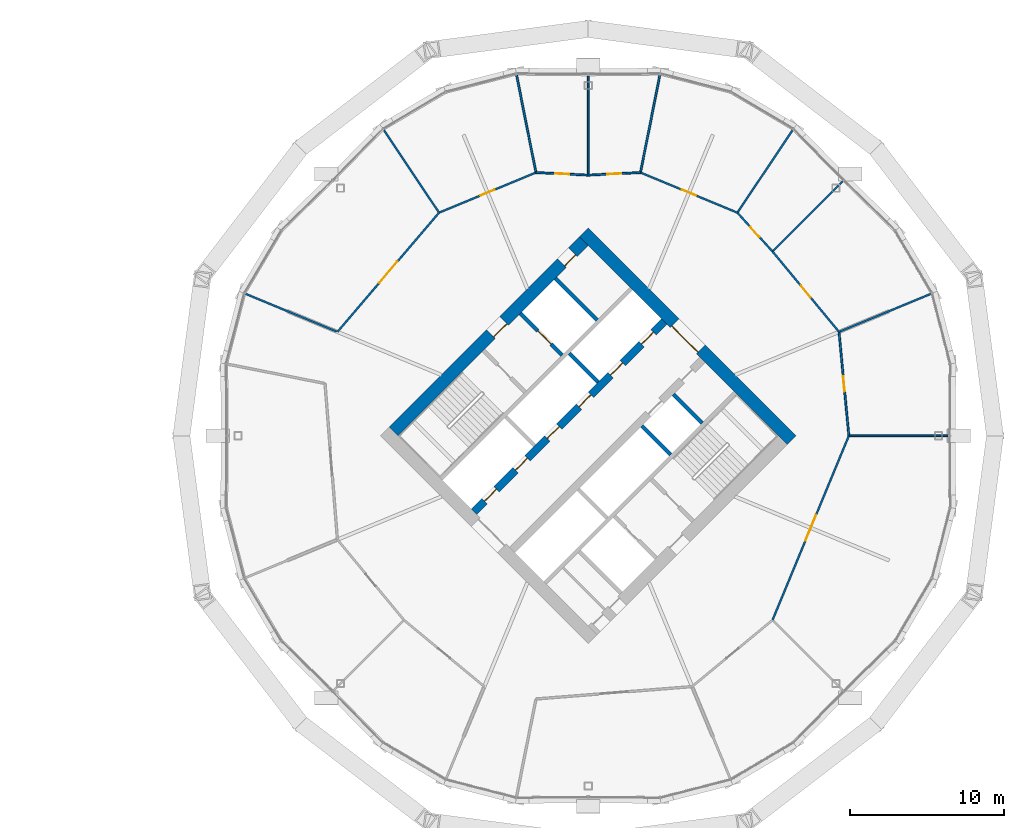
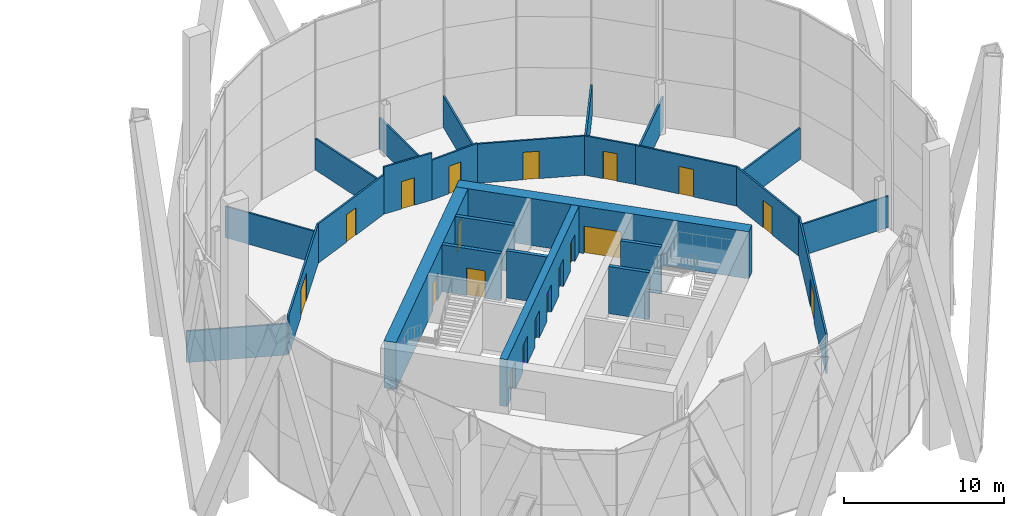
# One storey, part 22 of 26: 26 walls, 19 doors, 19 openings.
"""IFC4 building model written with IfcOpenShell, lengths in metres."""

from ifc_helpers import new_model, si_unit, direction, frame, frame_2d, origin, place, context, subcontext, project, spatial, rectangle, extrude, material, layer, layer_set, type_object, element, fill, save


model = new_model("IFC4")

# Units and contexts
model_context = context("Model", 3, precision=1e-05, world=origin(), true_north=direction((0.0, 1.0)))
body_context = subcontext(model_context, "Body", "Model", "MODEL_VIEW")
ifc_project = project(units=[si_unit("LENGTHUNIT", "METRE"), si_unit("AREAUNIT", "SQUARE_METRE"), si_unit("VOLUMEUNIT", "CUBIC_METRE"), si_unit("PLANEANGLEUNIT", "RADIAN"), si_unit("MASSUNIT", "GRAM", prefix="KILO")], contexts=[model_context])

# Site, building, storey
site_placement = place(None, origin())
site = spatial("IfcSite", under=ifc_project, at=site_placement, CompositionType="ELEMENT")
building_placement = place(site_placement, origin())
building = spatial("IfcBuilding", under=site, at=building_placement, Name="Ogive Gate Towers", CompositionType="ELEMENT")
storey_placement = place(building_placement, frame((0.0, 0.0, 76.199951171875)))
storey = spatial("IfcBuildingStorey", under=building, at=storey_placement, Name="L17", CompositionType="ELEMENT", Elevation=76.199951171875)

# Wall, openings, doors
ifc_material_1 = material(Name="Concrete C60/75", Category="concrete")
ifc_layer_1 = layer(ifc_material_1, 0.800048828125)
ifc_layer_set_1 = layer_set([ifc_layer_1], Name="Core wall 800 mm")
wall_type_1 = type_object("IfcWallType", Name="Core wall 800 mm", PredefinedType="SHEAR", material=ifc_layer_set_1)
wall_1_placement = place(storey_placement, frame((23.41357421875, 0.28271484375, 0.0), z_axis=(0.0, 0.0, 1.0), x_axis=(0.707106781187, 0.707106781187, 0.0)))
wall_1 = element("IfcWall", 1, at=wall_1_placement, inside=storey, type_object=wall_type_1, Name="T2 L17 Core wall 800 mm", PredefinedType="SHEAR", context=body_context, shape_type="SweptSolid", body=[
    extrude(rectangle(XDim=17.400146484375, YDim=0.800048828125, at=frame_2d((8.7001953125, 0.0))), origin(), (0.0, 0.0, 1.0), 3.60009765625),
])
opening_1_placement = place(wall_1_placement, frame((8.89990234375, 0.0, 0.0)))
opening_1 = element("IfcOpeningElement", 2, at=opening_1_placement, cuts=wall_1, Name="Opening KD-T2-L17-15", PredefinedType="OPENING", context=body_context, shape_type="SweptSolid", body=[
    extrude(rectangle(XDim=1.199951171875, YDim=2.10009765625, at=frame_2d((0.60009765625, 1.050048828125))), frame((0.0, 0.41015625, 0.0), z_axis=(0.0, -1.0, 0.0), x_axis=(1.0, 0.0, 0.0)), (0.0, 0.0, 1.0), 0.820068359375),
])
opening_2_placement = place(wall_1_placement, frame((15.39990234375, 0.0, 0.0)))
opening_2 = element("IfcOpeningElement", 3, at=opening_2_placement, cuts=wall_1, Name="Opening KD-T2-L17-17", PredefinedType="OPENING", context=body_context, shape_type="SweptSolid", body=[
    extrude(rectangle(XDim=1.0, YDim=2.10009765625, at=frame_2d((0.5, 1.050048828125))), frame((0.0, 0.41015625, 0.0), z_axis=(0.0, -1.0, 0.0), x_axis=(1.0, 0.0, 0.0)), (0.0, 0.0, 1.0), 0.820068359375),
])
ifc_material_2 = material(Name="Timber door", Category="wood")
door_type_1 = type_object("IfcDoorType", Name="Accessible WC door 1000 x 2100", OperationType="NOTDEFINED", PredefinedType="DOOR", material=ifc_material_2)
door_1_placement = place(opening_2_placement, origin())
door_1 = element("IfcDoor", 4, at=door_1_placement, inside=storey, type_object=door_type_1, Name="T2 L17 Core door", OperationType="SINGLE_SWING_RIGHT", OverallHeight=2.10009765625, OverallWidth=1.0, PredefinedType="DOOR", context=body_context, shape_type="SweptSolid", body=[
    extrude(rectangle(XDim=1.0, YDim=2.10009765625, at=frame_2d((0.5, 1.050048828125))), frame((0.0, -0.22509765625, 0.0), z_axis=(0.0, -1.0, 0.0), x_axis=(1.0, 0.0, 0.0)), (0.0, 0.0, 1.0), 0.050048828125),
])
fill(opening_2, door_1)
ifc_material_3 = material(Name="Steel fire door", Category="steel")
door_type_2 = type_object("IfcDoorType", Name="Core door FD60S 1200 x 2100", OperationType="NOTDEFINED", PredefinedType="DOOR", material=ifc_material_3)
door_2_placement = place(opening_1_placement, origin())
door_2 = element("IfcDoor", 5, at=door_2_placement, inside=storey, type_object=door_type_2, Name="T2 L17 Fire-fighting lobby door", OperationType="SINGLE_SWING_RIGHT", OverallHeight=2.10009765625, OverallWidth=1.199951171875, PredefinedType="DOOR", context=body_context, shape_type="SweptSolid", body=[
    extrude(rectangle(XDim=1.199951171875, YDim=2.10009765625, at=frame_2d((0.60009765625, 1.050048828125))), frame((0.0, -0.22509765625, 0.0), z_axis=(0.0, -1.0, 0.0), x_axis=(1.0, 0.0, 0.0)), (0.0, 0.0, 1.0), 0.050048828125),
])
fill(opening_1, door_2)

# Wall, opening, door
wall_2_placement = place(storey_placement, frame((49.152099609375, -0.28271484375, 0.0), z_axis=(0.0, 0.0, 1.0), x_axis=(-0.707106781187, 0.707106781187, 0.0)))
wall_2 = element("IfcWall", 6, at=wall_2_placement, inside=storey, type_object=wall_type_1, Name="T2 L17 Core wall 800 mm", PredefinedType="SHEAR", context=body_context, shape_type="SweptSolid", body=[
    extrude(rectangle(XDim=18.999755859375, YDim=0.800048828125, at=frame_2d((9.5, 0.0))), origin(), (0.0, 0.0, 1.0), 3.60009765625),
])
opening_3_placement = place(wall_2_placement, frame((8.300048828125, 0.0, 0.0)))
opening_3 = element("IfcOpeningElement", 7, at=opening_3_placement, cuts=wall_2, Name="Opening KD-T2-L17-02", PredefinedType="OPENING", context=body_context, shape_type="SweptSolid", body=[
    extrude(rectangle(XDim=2.39990234375, YDim=2.10009765625, at=frame_2d((1.199951171875, 1.050048828125))), frame((0.0, 0.41015625, 0.0), z_axis=(0.0, -1.0, 0.0), x_axis=(1.0, 0.0, 0.0)), (0.0, 0.0, 1.0), 0.820068359375),
])
door_type_3 = type_object("IfcDoorType", Name="Core double door FD60S 2400 x 2100", OperationType="DOUBLE_DOOR_SINGLE_SWING", PredefinedType="DOOR", material=ifc_material_3)
door_3_placement = place(opening_3_placement, origin())
door_3 = element("IfcDoor", 8, at=door_3_placement, inside=storey, type_object=door_type_3, Name="T2 L17 Core door double", OperationType="DOUBLE_DOOR_SINGLE_SWING", OverallHeight=2.10009765625, OverallWidth=2.39990234375, PredefinedType="DOOR", context=body_context, shape_type="SweptSolid", body=[
    extrude(rectangle(XDim=2.39990234375, YDim=2.10009765625, at=frame_2d((1.199951171875, 1.050048828125))), frame((0.0, 0.27490234375, 0.0), z_axis=(0.0, -1.0, 0.0), x_axis=(1.0, 0.0, 0.0)), (0.0, 0.0, 1.0), 0.050048828125),
])
fill(opening_3, door_3)

# Walls
ifc_material_4 = material(Name="Gypsum board partition")
ifc_layer_2 = layer(ifc_material_4, 0.125)
ifc_layer_set_2 = layer_set([ifc_layer_2], Name="Partition 125")
wall_type_2 = type_object("IfcWallType", Name="Partition 125", PredefinedType="PARTITIONING", material=ifc_layer_set_2)
for number, where, z_axis, x_axis, name in (
    (9, (59.299072265625, 0.0, 0.0), (0.0, 0.0, 1.0), (-1.0, 0.0, 0.0), "Partition T2-L17-001"),
    (10, (58.173095703125, 9.184326171875, 0.0), (0.0, 0.0, 1.0), (-0.923885020089, -0.382670183912, 0.0), "Partition T2-L17-002"),
    (11, (52.474853515625, 16.474853515625, 0.0), (0.0, 0.0, 1.0), (-0.707106781187, -0.707106781187, 0.0), "Partition T2-L17-003"),
    (12, (49.228515625, 19.784423828125, 0.0), (0.0, 0.0, 1.0), (-0.555823674739, -0.831300212077, 0.0), "Partition T2-L17-004"),
):
    element("IfcWall", number, at=place(storey_placement, frame(where, z_axis=z_axis, x_axis=x_axis)), inside=storey, type_object=wall_type_2, Name=name, PredefinedType="PARTITIONING", context=body_context, shape_type="SweptSolid", body=[
        extrude(rectangle(XDim=6.365966796875, YDim=0.125, at=frame_2d((3.18310546875, 0.0))), origin(), (0.0, 0.0, 1.0), 2.400146484375),
    ])
wall_3_placement = place(storey_placement, frame((40.6357421875, 23.34375, 0.0), z_axis=(0.0, 0.0, 1.0), x_axis=(-0.1947883958, -0.980845288953, 0.0)))
element("IfcWall", 13, at=wall_3_placement, inside=storey, type_object=wall_type_2, Name="Partition T2-L17-005", PredefinedType="PARTITIONING", context=body_context, shape_type="SweptSolid", body=[
    extrude(rectangle(XDim=6.36572265625, YDim=0.125, at=frame_2d((3.182861328125, 0.0))), origin(), (0.0, 0.0, 1.0), 2.400146484375),
])
wall_4_placement = place(storey_placement, frame((36.0, 23.299072265625, 0.0), z_axis=(0.0, 0.0, 1.0), x_axis=(0.0, -1.0, 0.0)))
element("IfcWall", 14, at=wall_4_placement, inside=storey, type_object=wall_type_2, Name="Partition T2-L17-006", PredefinedType="PARTITIONING", context=body_context, shape_type="SweptSolid", body=[
    extrude(rectangle(XDim=6.365966796875, YDim=0.125, at=frame_2d((3.18310546875, 0.0))), origin(), (0.0, 0.0, 1.0), 2.400146484375),
])
wall_5_placement = place(storey_placement, frame((31.3642578125, 23.34375, 0.0), z_axis=(0.0, 0.0, 1.0), x_axis=(0.1947883958, -0.980845288953, 0.0)))
element("IfcWall", 15, at=wall_5_placement, inside=storey, type_object=wall_type_2, Name="Partition T2-L17-007", PredefinedType="PARTITIONING", context=body_context, shape_type="SweptSolid", body=[
    extrude(rectangle(XDim=6.36572265625, YDim=0.125, at=frame_2d((3.182861328125, 0.0))), origin(), (0.0, 0.0, 1.0), 2.400146484375),
])
for number, where, z_axis, x_axis, name in (
    (16, (22.771484375, 19.784423828125, 0.0), (0.0, 0.0, 1.0), (0.555823674739, -0.831300212077, 0.0), "Partition T2-L17-008"),
    (17, (13.826904296875, 9.184326171875, 0.0), (0.0, 0.0, 1.0), (0.923885020089, -0.382670183912, 0.0), "Partition T2-L17-009"),
):
    element("IfcWall", number, at=place(storey_placement, frame(where, z_axis=z_axis, x_axis=x_axis)), inside=storey, type_object=wall_type_2, Name=name, PredefinedType="PARTITIONING", context=body_context, shape_type="SweptSolid", body=[
        extrude(rectangle(XDim=6.365966796875, YDim=0.125, at=frame_2d((3.18310546875, 0.0))), origin(), (0.0, 0.0, 1.0), 2.400146484375),
    ])

# Wall, opening, door
wall_6_placement = place(storey_placement, frame((47.92919921875, -11.92919921875, 0.0), z_axis=(0.0, 0.0, 1.0), x_axis=(0.382694679749, 0.923874873612, 0.0)))
wall_6 = element("IfcWall", 18, at=wall_6_placement, inside=storey, type_object=wall_type_2, Name="Partition T2-L17-022", PredefinedType="PARTITIONING", context=body_context, shape_type="SweptSolid", body=[
    extrude(rectangle(XDim=12.912109375, YDim=0.125, at=frame_2d((6.4560546875, 0.0))), origin(), (0.0, 0.0, 1.0), 3.0),
])
opening_4_placement = place(wall_6_placement, frame((5.555908203125, 0.0, 0.0)))
opening_4 = element("IfcOpeningElement", 19, at=opening_4_placement, cuts=wall_6, Name="Opening T2-L17-D06", PredefinedType="OPENING", context=body_context, shape_type="SweptSolid", body=[
    extrude(rectangle(XDim=1.800048828125, YDim=2.10009765625, at=frame_2d((0.89990234375, 1.050048828125))), frame((0.0, 0.072509765625, 0.0), z_axis=(0.0, -1.0, 0.0), x_axis=(1.0, 0.0, 0.0)), (0.0, 0.0, 1.0), 0.14501953125),
])
door_type_4 = type_object("IfcDoorType", Name="Door pair 1800", OperationType="NOTDEFINED", PredefinedType="DOOR", material=ifc_material_2)
door_4_placement = place(opening_4_placement, origin())
door_4 = element("IfcDoor", 20, at=door_4_placement, inside=storey, type_object=door_type_4, Name="Door T2-L17-D06", OperationType="DOUBLE_DOOR_DOUBLE_SWING", OverallHeight=2.10009765625, OverallWidth=1.800048828125, PredefinedType="DOOR", context=body_context, shape_type="SweptSolid", body=[
    extrude(rectangle(XDim=1.800048828125, YDim=2.10009765625, at=frame_2d((0.89990234375, 1.050048828125))), frame((0.0, 0.02490234375, 0.0), z_axis=(0.0, -1.0, 0.0), x_axis=(1.0, 0.0, 0.0)), (0.0, 0.0, 1.0), 0.050048828125),
])
fill(opening_4, door_4)

wall_7_placement = place(storey_placement, frame((52.87060546875, 0.0, 0.0), z_axis=(0.0, 0.0, 1.0), x_axis=(-0.09426665702, 0.995546984011, 0.0)))
wall_7 = element("IfcWall", 21, at=wall_7_placement, inside=storey, type_object=wall_type_2, Name="Partition T2-L17-023", PredefinedType="PARTITIONING", context=body_context, shape_type="SweptSolid", body=[
    extrude(rectangle(XDim=6.75439453125, YDim=0.125, at=frame_2d((3.377197265625, 0.0))), origin(), (0.0, 0.0, 1.0), 3.0),
])
opening_5_placement = place(wall_7_placement, frame((2.876953125, 0.0, 0.0)))
opening_5 = element("IfcOpeningElement", 22, at=opening_5_placement, cuts=wall_7, Name="Opening T2-L17-D07", PredefinedType="OPENING", context=body_context, shape_type="SweptSolid", body=[
    extrude(rectangle(XDim=1.0, YDim=2.10009765625, at=frame_2d((0.5, 1.050048828125))), frame((0.0, 0.072509765625, 0.0), z_axis=(0.0, -1.0, 0.0), x_axis=(1.0, 0.0, 0.0)), (0.0, 0.0, 1.0), 0.14501953125),
])
door_type_5 = type_object("IfcDoorType", Name="Door 1000", OperationType="NOTDEFINED", PredefinedType="DOOR", material=ifc_material_2)
door_5_placement = place(opening_5_placement, origin())
door_5 = element("IfcDoor", 23, at=door_5_placement, inside=storey, type_object=door_type_5, Name="Door T2-L17-D07", OperationType="SINGLE_SWING_LEFT", OverallHeight=2.10009765625, OverallWidth=1.0, PredefinedType="DOOR", context=body_context, shape_type="SweptSolid", body=[
    extrude(rectangle(XDim=1.0, YDim=2.10009765625, at=frame_2d((0.5, 1.050048828125))), frame((0.0, 0.02490234375, 0.0), z_axis=(0.0, -1.0, 0.0), x_axis=(1.0, 0.0, 0.0)), (0.0, 0.0, 1.0), 0.050048828125),
])
fill(opening_5, door_5)

wall_8_placement = place(storey_placement, frame((52.23388671875, 6.724365234375, 0.0), z_axis=(0.0, 0.0, 1.0), x_axis=(-0.63732504297, 0.77059508797, 0.0)))
wall_8 = element("IfcWall", 24, at=wall_8_placement, inside=storey, type_object=wall_type_2, Name="Partition T2-L17-024", PredefinedType="PARTITIONING", context=body_context, shape_type="SweptSolid", body=[
    extrude(rectangle(XDim=6.75439453125, YDim=0.125, at=frame_2d((3.377197265625, 0.0))), origin(), (0.0, 0.0, 1.0), 3.0),
])
opening_6_placement = place(wall_8_placement, frame((2.876953125, 0.0, 0.0)))
opening_6 = element("IfcOpeningElement", 25, at=opening_6_placement, cuts=wall_8, Name="Opening T2-L17-D08", PredefinedType="OPENING", context=body_context, shape_type="SweptSolid", body=[
    extrude(rectangle(XDim=1.0, YDim=2.10009765625, at=frame_2d((0.5, 1.050048828125))), frame((0.0, 0.072509765625, 0.0), z_axis=(0.0, -1.0, 0.0), x_axis=(1.0, 0.0, 0.0)), (0.0, 0.0, 1.0), 0.14501953125),
])
door_6_placement = place(opening_6_placement, origin())
door_6 = element("IfcDoor", 26, at=door_6_placement, inside=storey, type_object=door_type_5, Name="Door T2-L17-D08", OperationType="SINGLE_SWING_RIGHT", OverallHeight=2.10009765625, OverallWidth=1.0, PredefinedType="DOOR", context=body_context, shape_type="SweptSolid", body=[
    extrude(rectangle(XDim=1.0, YDim=2.10009765625, at=frame_2d((0.5, 1.050048828125))), frame((0.0, 0.02490234375, 0.0), z_axis=(0.0, -1.0, 0.0), x_axis=(1.0, 0.0, 0.0)), (0.0, 0.0, 1.0), 0.050048828125),
])
fill(opening_6, door_6)

wall_9_placement = place(storey_placement, frame((47.92919921875, 11.92919921875, 0.0), z_axis=(0.0, 0.0, 1.0), x_axis=(-0.671139730798, 0.741330871976, 0.0)))
wall_9 = element("IfcWall", 27, at=wall_9_placement, inside=storey, type_object=wall_type_2, Name="Partition T2-L17-025", PredefinedType="PARTITIONING", context=body_context, shape_type="SweptSolid", body=[
    extrude(rectangle(XDim=3.3876953125, YDim=0.125, at=frame_2d((1.69384765625, 0.0))), origin(), (0.0, 0.0, 1.0), 3.010009765625),
])
opening_7_placement = place(wall_9_placement, frame((1.243896484375, 0.0, 0.0)))
opening_7 = element("IfcOpeningElement", 28, at=opening_7_placement, cuts=wall_9, Name="Opening T2-L17-D09", PredefinedType="OPENING", context=body_context, shape_type="SweptSolid", body=[
    extrude(rectangle(XDim=0.89990234375, YDim=2.10009765625, at=frame_2d((0.449951171875, 1.050048828125))), frame((0.0, 0.072509765625, 0.0), z_axis=(0.0, -1.0, 0.0), x_axis=(1.0, 0.0, 0.0)), (0.0, 0.0, 1.0), 0.14501953125),
])
door_type_6 = type_object("IfcDoorType", Name="Door 900", OperationType="NOTDEFINED", PredefinedType="DOOR", material=ifc_material_2)
door_7_placement = place(opening_7_placement, origin())
door_7 = element("IfcDoor", 29, at=door_7_placement, inside=storey, type_object=door_type_6, Name="Door T2-L17-D09", OperationType="SINGLE_SWING_LEFT", OverallHeight=2.10009765625, OverallWidth=0.89990234375, PredefinedType="DOOR", context=body_context, shape_type="SweptSolid", body=[
    extrude(rectangle(XDim=0.89990234375, YDim=2.10009765625, at=frame_2d((0.449951171875, 1.050048828125))), frame((0.0, 0.02490234375, 0.0), z_axis=(0.0, -1.0, 0.0), x_axis=(1.0, 0.0, 0.0)), (0.0, 0.0, 1.0), 0.050048828125),
])
fill(opening_7, door_7)

wall_10_placement = place(storey_placement, frame((45.655517578125, 14.440673828125, 0.0), z_axis=(0.0, 0.0, 1.0), x_axis=(-0.923881394158, 0.382678937923, 0.0)))
wall_10 = element("IfcWall", 30, at=wall_10_placement, inside=storey, type_object=wall_type_2, Name="Partition T2-L17-026", PredefinedType="PARTITIONING", context=body_context, shape_type="SweptSolid", body=[
    extrude(rectangle(XDim=6.788818359375, YDim=0.125, at=frame_2d((3.39453125, 0.0))), origin(), (0.0, 0.0, 1.0), 3.0),
])
opening_8_placement = place(wall_10_placement, frame((2.89404296875, 0.0, 0.0)))
opening_8 = element("IfcOpeningElement", 31, at=opening_8_placement, cuts=wall_10, Name="Opening T2-L17-D10", PredefinedType="OPENING", context=body_context, shape_type="SweptSolid", body=[
    extrude(rectangle(XDim=1.0, YDim=2.10009765625, at=frame_2d((0.5, 1.050048828125))), frame((0.0, 0.072509765625, 0.0), z_axis=(0.0, -1.0, 0.0), x_axis=(1.0, 0.0, 0.0)), (0.0, 0.0, 1.0), 0.14501953125),
])
door_8_placement = place(opening_8_placement, origin())
door_8 = element("IfcDoor", 32, at=door_8_placement, inside=storey, type_object=door_type_5, Name="Door T2-L17-D10", OperationType="SINGLE_SWING_RIGHT", OverallHeight=2.10009765625, OverallWidth=1.0, PredefinedType="DOOR", context=body_context, shape_type="SweptSolid", body=[
    extrude(rectangle(XDim=1.0, YDim=2.10009765625, at=frame_2d((0.5, 1.050048828125))), frame((0.0, 0.02490234375, 0.0), z_axis=(0.0, -1.0, 0.0), x_axis=(1.0, 0.0, 0.0)), (0.0, 0.0, 1.0), 0.050048828125),
])
fill(opening_8, door_8)

wall_11_placement = place(storey_placement, frame((39.383544921875, 17.03857421875, 0.0), z_axis=(0.0, 0.0, 1.0), x_axis=(-0.998770067475, -0.04958177404, 0.0)))
wall_11 = element("IfcWall", 33, at=wall_11_placement, inside=storey, type_object=wall_type_2, Name="Partition T2-L17-027", PredefinedType="PARTITIONING", context=body_context, shape_type="SweptSolid", body=[
    extrude(rectangle(XDim=3.3876953125, YDim=0.125, at=frame_2d((1.69384765625, 0.0))), origin(), (0.0, 0.0, 1.0), 3.050048828125),
])
opening_9_placement = place(wall_11_placement, frame((1.243896484375, 0.0, 0.0)))
opening_9 = element("IfcOpeningElement", 34, at=opening_9_placement, cuts=wall_11, Name="Opening T2-L17-D11", PredefinedType="OPENING", context=body_context, shape_type="SweptSolid", body=[
    extrude(rectangle(XDim=0.89990234375, YDim=2.10009765625, at=frame_2d((0.449951171875, 1.050048828125))), frame((0.0, 0.072509765625, 0.0), z_axis=(0.0, -1.0, 0.0), x_axis=(1.0, 0.0, 0.0)), (0.0, 0.0, 1.0), 0.14501953125),
])
door_9_placement = place(opening_9_placement, origin())
door_9 = element("IfcDoor", 35, at=door_9_placement, inside=storey, type_object=door_type_6, Name="Door T2-L17-D11", OperationType="SINGLE_SWING_LEFT", OverallHeight=2.10009765625, OverallWidth=0.89990234375, PredefinedType="DOOR", context=body_context, shape_type="SweptSolid", body=[
    extrude(rectangle(XDim=0.89990234375, YDim=2.10009765625, at=frame_2d((0.449951171875, 1.050048828125))), frame((0.0, 0.02490234375, 0.0), z_axis=(0.0, -1.0, 0.0), x_axis=(1.0, 0.0, 0.0)), (0.0, 0.0, 1.0), 0.050048828125),
])
fill(opening_9, door_9)

wall_12_placement = place(storey_placement, frame((36.0, 16.87060546875, 0.0), z_axis=(0.0, 0.0, 1.0), x_axis=(-0.998770067475, 0.04958177404, 0.0)))
wall_12 = element("IfcWall", 36, at=wall_12_placement, inside=storey, type_object=wall_type_2, Name="Partition T2-L17-028", PredefinedType="PARTITIONING", context=body_context, shape_type="SweptSolid", body=[
    extrude(rectangle(XDim=3.3876953125, YDim=0.125, at=frame_2d((1.69384765625, 0.0))), origin(), (0.0, 0.0, 1.0), 3.60009765625),
])
opening_10_placement = place(wall_12_placement, frame((1.243896484375, 0.0, 0.0)))
opening_10 = element("IfcOpeningElement", 37, at=opening_10_placement, cuts=wall_12, Name="Opening T2-L17-D12", PredefinedType="OPENING", context=body_context, shape_type="SweptSolid", body=[
    extrude(rectangle(XDim=0.89990234375, YDim=2.10009765625, at=frame_2d((0.449951171875, 1.050048828125))), frame((0.0, 0.072509765625, 0.0), z_axis=(0.0, -1.0, 0.0), x_axis=(1.0, 0.0, 0.0)), (0.0, 0.0, 1.0), 0.14501953125),
])
door_10_placement = place(opening_10_placement, origin())
door_10 = element("IfcDoor", 38, at=door_10_placement, inside=storey, type_object=door_type_6, Name="Door T2-L17-D12", OperationType="SINGLE_SWING_LEFT", OverallHeight=2.10009765625, OverallWidth=0.89990234375, PredefinedType="DOOR", context=body_context, shape_type="SweptSolid", body=[
    extrude(rectangle(XDim=0.89990234375, YDim=2.10009765625, at=frame_2d((0.449951171875, 1.050048828125))), frame((0.0, 0.02490234375, 0.0), z_axis=(0.0, -1.0, 0.0), x_axis=(1.0, 0.0, 0.0)), (0.0, 0.0, 1.0), 0.050048828125),
])
fill(opening_10, door_10)

wall_13_placement = place(storey_placement, frame((32.616455078125, 17.03857421875, 0.0), z_axis=(0.0, 0.0, 1.0), x_axis=(-0.923881394158, -0.382678937923, 0.0)))
wall_13 = element("IfcWall", 39, at=wall_13_placement, inside=storey, type_object=wall_type_2, Name="Partition T2-L17-029", PredefinedType="PARTITIONING", context=body_context, shape_type="SweptSolid", body=[
    extrude(rectangle(XDim=6.788818359375, YDim=0.125, at=frame_2d((3.39453125, 0.0))), origin(), (0.0, 0.0, 1.0), 3.0),
])
opening_11_placement = place(wall_13_placement, frame((2.89404296875, 0.0, 0.0)))
opening_11 = element("IfcOpeningElement", 40, at=opening_11_placement, cuts=wall_13, Name="Opening T2-L17-D13", PredefinedType="OPENING", context=body_context, shape_type="SweptSolid", body=[
    extrude(rectangle(XDim=1.0, YDim=2.10009765625, at=frame_2d((0.5, 1.050048828125))), frame((0.0, 0.072509765625, 0.0), z_axis=(0.0, -1.0, 0.0), x_axis=(1.0, 0.0, 0.0)), (0.0, 0.0, 1.0), 0.14501953125),
])
door_11_placement = place(opening_11_placement, origin())
door_11 = element("IfcDoor", 41, at=door_11_placement, inside=storey, type_object=door_type_5, Name="Door T2-L17-D13", OperationType="SINGLE_SWING_LEFT", OverallHeight=2.10009765625, OverallWidth=1.0, PredefinedType="DOOR", context=body_context, shape_type="SweptSolid", body=[
    extrude(rectangle(XDim=1.0, YDim=2.10009765625, at=frame_2d((0.5, 1.050048828125))), frame((0.0, 0.02490234375, 0.0), z_axis=(0.0, -1.0, 0.0), x_axis=(1.0, 0.0, 0.0)), (0.0, 0.0, 1.0), 0.050048828125),
])
fill(opening_11, door_11)

wall_14_placement = place(storey_placement, frame((26.344482421875, 14.440673828125, 0.0), z_axis=(0.0, 0.0, 1.0), x_axis=(-0.648764578555, -0.760989173124, 0.0)))
wall_14 = element("IfcWall", 42, at=wall_14_placement, inside=storey, type_object=wall_type_2, Name="Partition T2-L17-030", PredefinedType="PARTITIONING", context=body_context, shape_type="SweptSolid", body=[
    extrude(rectangle(XDim=10.139892578125, YDim=0.125, at=frame_2d((5.06982421875, 0.0))), origin(), (0.0, 0.0, 1.0), 3.0),
])
opening_12_placement = place(wall_14_placement, frame((4.169921875, 0.0, 0.0)))
opening_12 = element("IfcOpeningElement", 43, at=opening_12_placement, cuts=wall_14, Name="Opening T2-L17-D14", PredefinedType="OPENING", context=body_context, shape_type="SweptSolid", body=[
    extrude(rectangle(XDim=1.800048828125, YDim=2.10009765625, at=frame_2d((0.89990234375, 1.050048828125))), frame((0.0, 0.072509765625, 0.0), z_axis=(0.0, -1.0, 0.0), x_axis=(1.0, 0.0, 0.0)), (0.0, 0.0, 1.0), 0.14501953125),
])
door_12_placement = place(opening_12_placement, origin())
door_12 = element("IfcDoor", 44, at=door_12_placement, inside=storey, type_object=door_type_4, Name="Door T2-L17-D14", OperationType="DOUBLE_DOOR_DOUBLE_SWING", OverallHeight=2.10009765625, OverallWidth=1.800048828125, PredefinedType="DOOR", context=body_context, shape_type="SweptSolid", body=[
    extrude(rectangle(XDim=1.800048828125, YDim=2.10009765625, at=frame_2d((0.89990234375, 1.050048828125))), frame((0.0, 0.02490234375, 0.0), z_axis=(0.0, -1.0, 0.0), x_axis=(1.0, 0.0, 0.0)), (0.0, 0.0, 1.0), 0.050048828125),
])
fill(opening_12, door_12)

ifc_layer_3 = layer(ifc_material_1, 0.25)
ifc_layer_set_3 = layer_set([ifc_layer_3], Name="Shaft wall 250 mm")
wall_type_3 = type_object("IfcWallType", Name="Shaft wall 250 mm", PredefinedType="SHEAR", material=ifc_layer_set_3)
wall_15_placement = place(storey_placement, frame((34.320556640625, 5.21484375, 0.0), z_axis=(0.0, 0.0, 1.0), x_axis=(-0.707074866995, 0.707138693938, 0.0)))
wall_15 = element("IfcWall", 45, at=wall_15_placement, inside=storey, type_object=wall_type_3, Name="T2 L17 Shaft wall 250 mm", PredefinedType="SHEAR", context=body_context, shape_type="SweptSolid", body=[
    extrude(rectangle(XDim=3.824951171875, YDim=0.25, at=frame_2d((1.91259765625, 0.0))), origin(), (0.0, 0.0, 1.0), 3.60009765625),
])
opening_13_placement = place(wall_15_placement, frame((1.02490234375, 0.0, 0.0)))
opening_13 = element("IfcOpeningElement", 46, at=opening_13_placement, cuts=wall_15, Name="Opening LD-T2-L17-10", PredefinedType="OPENING", context=body_context, shape_type="SweptSolid", body=[
    extrude(rectangle(XDim=1.199951171875, YDim=2.10009765625, at=frame_2d((0.60009765625, 1.050048828125))), frame((0.0, 0.135009765625, 0.0), z_axis=(0.0, -1.0, 0.0), x_axis=(1.0, 0.0, 0.0)), (0.0, 0.0, 1.0), 0.27001953125),
])
ifc_material_5 = material(Name="Stainless steel landing door", Category="steel")
door_type_7 = type_object("IfcDoorType", Name="Landing door 1200 x 2100", OperationType="SLIDING_TO_LEFT", PredefinedType="DOOR", material=ifc_material_5)
door_13_placement = place(opening_13_placement, origin())
door_13 = element("IfcDoor", 47, at=door_13_placement, inside=storey, type_object=door_type_7, Name="T2 L17 Lift landing door FF1", OperationType="SLIDING_TO_LEFT", OverallHeight=2.10009765625, OverallWidth=1.199951171875, PredefinedType="DOOR", context=body_context, shape_type="SweptSolid", body=[
    extrude(rectangle(XDim=1.199951171875, YDim=2.10009765625, at=frame_2d((0.60009765625, 1.050048828125))), frame((0.0, 0.02490234375, 0.0), z_axis=(0.0, -1.0, 0.0), x_axis=(1.0, 0.0, 0.0)), (0.0, 0.0, 1.0), 0.050048828125),
])
fill(opening_13, door_13)

# Walls
for number, where, z_axis, x_axis, name in (
    (48, (41.321044921875, -1.2197265625, 0.0), (0.0, 0.0, 1.0), (-0.707106781187, 0.707106781187, 0.0), "T2 L17 Shaft wall 250 mm"),
    (49, (36.636474609375, 3.46484375, 0.0), (0.0, 0.0, 1.0), (-0.707106781187, 0.707106781187, 0.0), "T2 L17 Shaft wall 250 mm"),
):
    element("IfcWall", number, at=place(storey_placement, frame(where, z_axis=z_axis, x_axis=x_axis)), inside=storey, type_object=wall_type_3, Name=name, PredefinedType="SHEAR", context=body_context, shape_type="SweptSolid", body=[
        extrude(rectangle(XDim=2.625, YDim=0.25, at=frame_2d((1.3125, 0.0))), origin(), (0.0, 0.0, 1.0), 3.60009765625),
    ])
wall_16_placement = place(storey_placement, frame((36.58349609375, 7.477783203125, 0.0), z_axis=(0.0, 0.0, 1.0), x_axis=(-0.707138693938, 0.707074866995, 0.0)))
element("IfcWall", 50, at=wall_16_placement, inside=storey, type_object=wall_type_3, Name="T2 L17 Shaft wall 250 mm", PredefinedType="SHEAR", context=body_context, shape_type="SweptSolid", body=[
    extrude(rectangle(XDim=3.824951171875, YDim=0.25, at=frame_2d((1.91259765625, 0.0))), origin(), (0.0, 0.0, 1.0), 3.60009765625),
])
wall_17_placement = place(storey_placement, frame((43.37158203125, 0.830810546875, 0.0), z_axis=(0.0, 0.0, 1.0), x_axis=(-0.707106781187, 0.707106781187, 0.0)))
element("IfcWall", 51, at=wall_17_placement, inside=storey, type_object=wall_type_3, Name="T2 L17 Shaft wall 250 mm", PredefinedType="SHEAR", context=body_context, shape_type="SweptSolid", body=[
    extrude(rectangle(XDim=2.625, YDim=0.25, at=frame_2d((1.3125, 0.0))), origin(), (0.0, 0.0, 1.0), 3.60009765625),
])

# Wall, openings, doors
ifc_layer_4 = layer(ifc_material_1, 0.5)
ifc_layer_set_4 = layer_set([ifc_layer_4], Name="Spine wall 500 mm")
wall_type_4 = type_object("IfcWallType", Name="Spine wall 500 mm", PredefinedType="SHEAR", material=ifc_layer_set_4)
wall_18_placement = place(storey_placement, frame((28.610595703125, -4.914306640625, 0.0), z_axis=(0.0, 0.0, 1.0), x_axis=(0.707106781187, 0.707106781187, 0.0)))
wall_18 = element("IfcWall", 52, at=wall_18_placement, inside=storey, type_object=wall_type_4, Name="T2 L17 Spine wall 500 mm", PredefinedType="SHEAR", context=body_context, shape_type="SweptSolid", body=[
    extrude(rectangle(XDim=17.400146484375, YDim=0.5, at=frame_2d((8.7001953125, 0.0))), origin(), (0.0, 0.0, 1.0), 3.60009765625),
])
opening_14_placement = place(wall_18_placement, frame((0.96240234375, 0.0, 0.0)))
opening_14 = element("IfcOpeningElement", 53, at=opening_14_placement, cuts=wall_18, Name="Opening LD-T2-L17-03", PredefinedType="OPENING", context=body_context, shape_type="SweptSolid", body=[
    extrude(rectangle(XDim=1.10009765625, YDim=2.10009765625, at=frame_2d((0.550048828125, 1.050048828125))), frame((0.0, 0.260009765625, 0.0), z_axis=(0.0, -1.0, 0.0), x_axis=(1.0, 0.0, 0.0)), (0.0, 0.0, 1.0), 0.52001953125),
])
opening_15_placement = place(wall_18_placement, frame((3.800048828125, 0.0, 0.0)))
opening_15 = element("IfcOpeningElement", 54, at=opening_15_placement, cuts=wall_18, Name="Opening LD-T2-L17-04", PredefinedType="OPENING", context=body_context, shape_type="SweptSolid", body=[
    extrude(rectangle(XDim=1.10009765625, YDim=2.10009765625, at=frame_2d((0.550048828125, 1.050048828125))), frame((0.0, 0.260009765625, 0.0), z_axis=(0.0, -1.0, 0.0), x_axis=(1.0, 0.0, 0.0)), (0.0, 0.0, 1.0), 0.52001953125),
])
opening_16_placement = place(wall_18_placement, frame((6.699951171875, 0.0, 0.0)))
opening_16 = element("IfcOpeningElement", 55, at=opening_16_placement, cuts=wall_18, Name="Opening LD-T2-L17-05", PredefinedType="OPENING", context=body_context, shape_type="SweptSolid", body=[
    extrude(rectangle(XDim=1.10009765625, YDim=2.10009765625, at=frame_2d((0.550048828125, 1.050048828125))), frame((0.0, 0.260009765625, 0.0), z_axis=(0.0, -1.0, 0.0), x_axis=(1.0, 0.0, 0.0)), (0.0, 0.0, 1.0), 0.52001953125),
])
opening_17_placement = place(wall_18_placement, frame((9.60009765625, 0.0, 0.0)))
opening_17 = element("IfcOpeningElement", 56, at=opening_17_placement, cuts=wall_18, Name="Opening LD-T2-L17-06", PredefinedType="OPENING", context=body_context, shape_type="SweptSolid", body=[
    extrude(rectangle(XDim=1.10009765625, YDim=2.10009765625, at=frame_2d((0.550048828125, 1.050048828125))), frame((0.0, 0.260009765625, 0.0), z_axis=(0.0, -1.0, 0.0), x_axis=(1.0, 0.0, 0.0)), (0.0, 0.0, 1.0), 0.52001953125),
])
opening_18_placement = place(wall_18_placement, frame((12.5, 0.0, 0.0)))
opening_18 = element("IfcOpeningElement", 57, at=opening_18_placement, cuts=wall_18, Name="Opening LD-T2-L17-07", PredefinedType="OPENING", context=body_context, shape_type="SweptSolid", body=[
    extrude(rectangle(XDim=1.10009765625, YDim=2.10009765625, at=frame_2d((0.550048828125, 1.050048828125))), frame((0.0, 0.260009765625, 0.0), z_axis=(0.0, -1.0, 0.0), x_axis=(1.0, 0.0, 0.0)), (0.0, 0.0, 1.0), 0.52001953125),
])
opening_19_placement = place(wall_18_placement, frame((15.33740234375, 0.0, 0.0)))
opening_19 = element("IfcOpeningElement", 58, at=opening_19_placement, cuts=wall_18, Name="Opening LD-T2-L17-08", PredefinedType="OPENING", context=body_context, shape_type="SweptSolid", body=[
    extrude(rectangle(XDim=1.10009765625, YDim=2.10009765625, at=frame_2d((0.550048828125, 1.050048828125))), frame((0.0, 0.260009765625, 0.0), z_axis=(0.0, -1.0, 0.0), x_axis=(1.0, 0.0, 0.0)), (0.0, 0.0, 1.0), 0.52001953125),
])
door_type_8 = type_object("IfcDoorType", Name="Landing door 1100 x 2100", OperationType="SLIDING_TO_LEFT", PredefinedType="DOOR", material=ifc_material_5)
door_14_placement = place(opening_14_placement, origin())
door_14 = element("IfcDoor", 59, at=door_14_placement, inside=storey, type_object=door_type_8, Name="T2 L17 Lift landing door A1", OperationType="SLIDING_TO_LEFT", OverallHeight=2.10009765625, OverallWidth=1.10009765625, PredefinedType="DOOR", context=body_context, shape_type="SweptSolid", body=[
    extrude(rectangle(XDim=1.10009765625, YDim=2.10009765625, at=frame_2d((0.550048828125, 1.050048828125))), frame((0.0, 0.02490234375, 0.0), z_axis=(0.0, -1.0, 0.0), x_axis=(1.0, 0.0, 0.0)), (0.0, 0.0, 1.0), 0.050048828125),
])
fill(opening_14, door_14)
door_15_placement = place(opening_15_placement, origin())
door_15 = element("IfcDoor", 60, at=door_15_placement, inside=storey, type_object=door_type_8, Name="T2 L17 Lift landing door A2", OperationType="SLIDING_TO_LEFT", OverallHeight=2.10009765625, OverallWidth=1.10009765625, PredefinedType="DOOR", context=body_context, shape_type="SweptSolid", body=[
    extrude(rectangle(XDim=1.10009765625, YDim=2.10009765625, at=frame_2d((0.550048828125, 1.050048828125))), frame((0.0, 0.02490234375, 0.0), z_axis=(0.0, -1.0, 0.0), x_axis=(1.0, 0.0, 0.0)), (0.0, 0.0, 1.0), 0.050048828125),
])
fill(opening_15, door_15)
door_16_placement = place(opening_16_placement, origin())
door_16 = element("IfcDoor", 61, at=door_16_placement, inside=storey, type_object=door_type_8, Name="T2 L17 Lift landing door A3", OperationType="SLIDING_TO_LEFT", OverallHeight=2.10009765625, OverallWidth=1.10009765625, PredefinedType="DOOR", context=body_context, shape_type="SweptSolid", body=[
    extrude(rectangle(XDim=1.10009765625, YDim=2.10009765625, at=frame_2d((0.550048828125, 1.050048828125))), frame((0.0, 0.02490234375, 0.0), z_axis=(0.0, -1.0, 0.0), x_axis=(1.0, 0.0, 0.0)), (0.0, 0.0, 1.0), 0.050048828125),
])
fill(opening_16, door_16)
door_17_placement = place(opening_17_placement, origin())
door_17 = element("IfcDoor", 62, at=door_17_placement, inside=storey, type_object=door_type_8, Name="T2 L17 Lift landing door A4", OperationType="SLIDING_TO_LEFT", OverallHeight=2.10009765625, OverallWidth=1.10009765625, PredefinedType="DOOR", context=body_context, shape_type="SweptSolid", body=[
    extrude(rectangle(XDim=1.10009765625, YDim=2.10009765625, at=frame_2d((0.550048828125, 1.050048828125))), frame((0.0, 0.02490234375, 0.0), z_axis=(0.0, -1.0, 0.0), x_axis=(1.0, 0.0, 0.0)), (0.0, 0.0, 1.0), 0.050048828125),
])
fill(opening_17, door_17)
door_18_placement = place(opening_18_placement, origin())
door_18 = element("IfcDoor", 63, at=door_18_placement, inside=storey, type_object=door_type_8, Name="T2 L17 Lift landing door A5", OperationType="SLIDING_TO_LEFT", OverallHeight=2.10009765625, OverallWidth=1.10009765625, PredefinedType="DOOR", context=body_context, shape_type="SweptSolid", body=[
    extrude(rectangle(XDim=1.10009765625, YDim=2.10009765625, at=frame_2d((0.550048828125, 1.050048828125))), frame((0.0, 0.02490234375, 0.0), z_axis=(0.0, -1.0, 0.0), x_axis=(1.0, 0.0, 0.0)), (0.0, 0.0, 1.0), 0.050048828125),
])
fill(opening_18, door_18)
door_19_placement = place(opening_19_placement, origin())
door_19 = element("IfcDoor", 64, at=door_19_placement, inside=storey, type_object=door_type_8, Name="T2 L17 Lift landing door A6", OperationType="SLIDING_TO_LEFT", OverallHeight=2.10009765625, OverallWidth=1.10009765625, PredefinedType="DOOR", context=body_context, shape_type="SweptSolid", body=[
    extrude(rectangle(XDim=1.10009765625, YDim=2.10009765625, at=frame_2d((0.550048828125, 1.050048828125))), frame((0.0, 0.02490234375, 0.0), z_axis=(0.0, -1.0, 0.0), x_axis=(1.0, 0.0, 0.0)), (0.0, 0.0, 1.0), 0.050048828125),
])
fill(opening_19, door_19)

save(model, "model.ifc")
